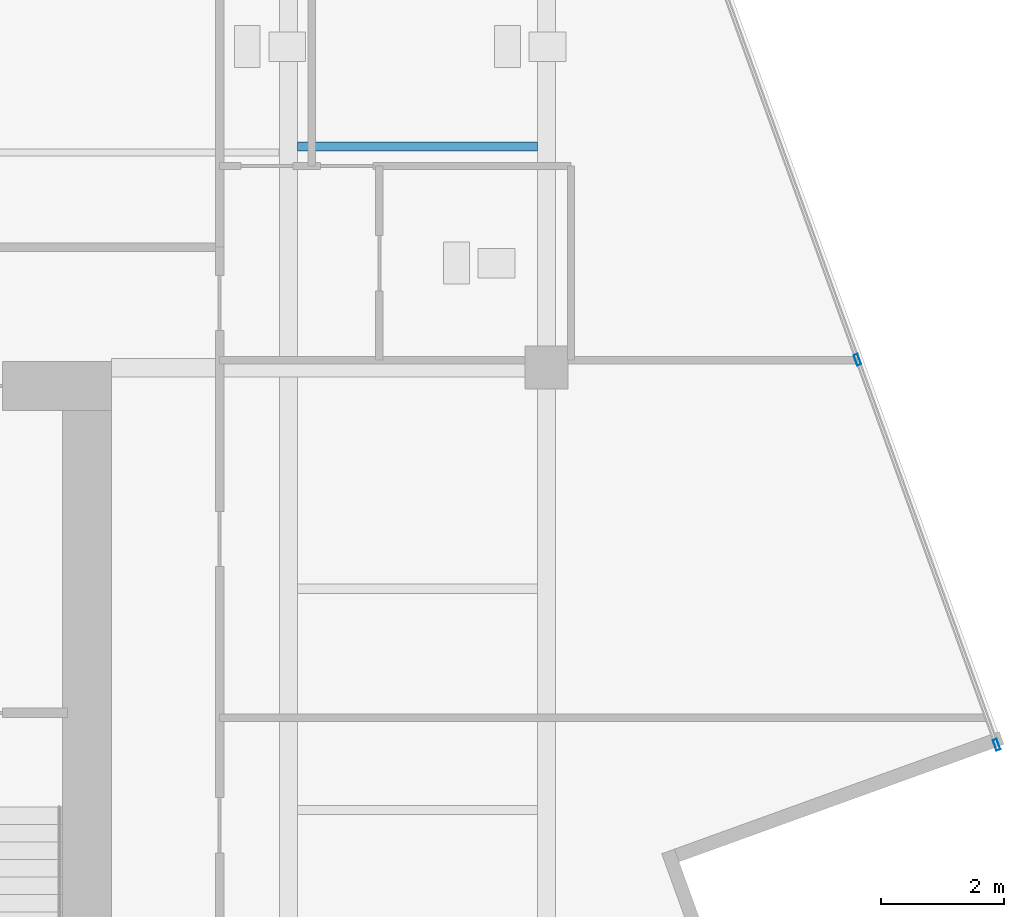
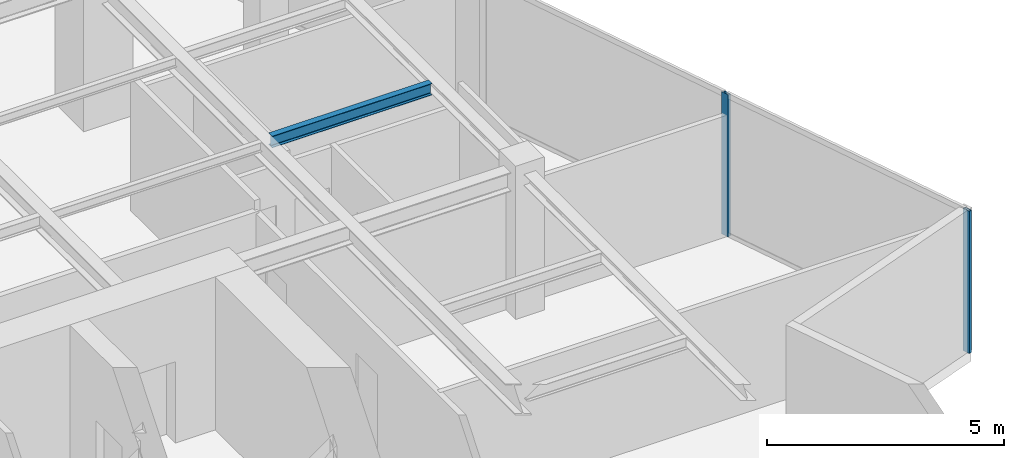
# One storey, part 11 of 21: 2 members, 1 beam, 1 element without a shape of its own.
"""IFC4 building model written with IfcOpenShell, lengths in metres."""

from ifc_helpers import new_model, si_unit, direction, frame, origin, origin_2d, place, context, subcontext, project, spatial, hollow_rectangle, i_section, extrude, source, transform, mapped, material, material_profile, profile_set, type_object, type_shapes, element, aggregate, save


model = new_model("IFC4")

# Units and contexts
model_context = context("Model", 3, precision=1e-05, world=origin(), true_north=direction((0.0, 1.0)))
body_context = subcontext(model_context, "Body", "Model", "MODEL_VIEW")
ifc_project = project(units=[si_unit("LENGTHUNIT", "METRE"), si_unit("AREAUNIT", "SQUARE_METRE"), si_unit("VOLUMEUNIT", "CUBIC_METRE"), si_unit("PLANEANGLEUNIT", "RADIAN"), si_unit("MASSUNIT", "GRAM", prefix="KILO")], contexts=[model_context])

# Site, building, storey
site_placement = place(None, origin())
site = spatial("IfcSite", under=ifc_project, at=site_placement, CompositionType="ELEMENT")
building_placement = place(site_placement, origin())
building = spatial("IfcBuilding", under=site, at=building_placement, Name="Krantzveldt Concourse Tower", CompositionType="ELEMENT")
storey_placement = place(building_placement, frame((0.0, 0.0, 335.60009765625)))
storey = spatial("IfcBuildingStorey", under=building, at=storey_placement, Name="L82", CompositionType="ELEMENT", Elevation=335.60009765625)

# Beam
ifc_material_1 = material(Name="Steel S355JR", Category="steel")
ifc_material_profile_1 = material_profile(ifc_material_1, i_section(OverallWidth=0.14990234375, OverallDepth=0.300048828125, WebThickness=0.007080078125, FlangeThickness=0.0107421875, FilletRadius=0.014892578125, at=origin_2d()), Name="Steel S355JR", Category="steel")
ifc_profile_set_1 = profile_set([ifc_material_profile_1], Name="Steel S355JR - IPE 300")
beam_type = type_object("IfcBeamType", Name="BM-J-IPE300", PredefinedType="JOIST", material=ifc_profile_set_1)
shared_shape_1 = source(origin(), body_context, "Body", "SweptSolid", [
    extrude(i_section(OverallWidth=0.14990234375, OverallDepth=0.300048828125, WebThickness=0.007080078125, FlangeThickness=0.0107421875, FilletRadius=0.014892578125, at=origin_2d()), origin(), (0.0, 0.0, 1.0), 3.900146484375),
])
type_shapes(beam_type, [shared_shape_1])
beam_placement = place(storey_placement, frame((46.949951171875, 30.300048828125, 3.52001953125), z_axis=(1.0, 0.0, 0.0), x_axis=(0.0, 1.0, 0.0)))
element("IfcBeam", 1, at=beam_placement, inside=storey, type_object=beam_type, Name="L82 Secondary Floor Joist JE-3", PredefinedType="JOIST", context=body_context, shape_type="MappedRepresentation", body=[
    mapped(shared_shape_1, transform((0.0, 0.0, 0.0), x_axis=(1.0, 0.0, 0.0), y_axis=(0.0, 1.0, 0.0), z_axis=(0.0, 0.0, 1.0), scale=1.0)),
])

# Curtain wall, members
ifc_material_2 = material(Name="Anodised aluminium 6063-T6", Category="aluminium")
curtain_wall_type = type_object("IfcCurtainWallType", Name="CW4", PredefinedType="USERDEFINED", material=ifc_material_2)
curtain_wall_placement = place(storey_placement, origin())
curtain_wall = element("IfcCurtainWall", 2, at=curtain_wall_placement, inside=storey, type_object=curtain_wall_type, Name="CW-L82-F10", ObjectType="UNITISED CURTAIN WALL", PredefinedType="USERDEFINED")
ifc_material_profile_2 = material_profile(ifc_material_2, hollow_rectangle(XDim=0.070068359375, YDim=0.179931640625, WallThickness=0.0048828125, at=origin_2d()), Name="Anodised aluminium 6063-T6", Category="aluminium")
ifc_profile_set_2 = profile_set([ifc_material_profile_2], Name="Anodised aluminium 6063-T6 - ALU-MULL 180x70x5")
member_type = type_object("IfcMemberType", Name="CW-MUL-180", PredefinedType="MULLION", material=ifc_profile_set_2)
shared_shape_2 = source(origin(), body_context, "Body", "SweptSolid", [
    extrude(hollow_rectangle(XDim=0.070068359375, YDim=0.179931640625, WallThickness=0.0048828125, at=origin_2d()), origin(), (0.0, 0.0, 1.0), 3.669921875),
])
type_shapes(member_type, [shared_shape_2])
member_1_placement = place(storey_placement, frame((58.327392578125, 20.559814453125, 0.0), z_axis=(0.0, 0.0, 1.0), x_axis=(-0.940436624478, -0.339969050563, 0.0)))
member_1 = element("IfcMember", 3, at=member_1_placement, type_object=member_type, Name="CW-Z56 mullion 1", PredefinedType="MULLION", context=body_context, shape_type="MappedRepresentation", body=[
    mapped(shared_shape_2, transform((0.0, 0.0, 0.0), x_axis=(1.0, 0.0, 0.0), y_axis=(0.0, 1.0, 0.0), z_axis=(0.0, 0.0, 1.0), scale=1.0)),
])
member_2_placement = place(storey_placement, frame((56.0615234375, 26.827880859375, 0.0), z_axis=(0.0, 0.0, 1.0), x_axis=(-0.940436624478, -0.339969050563, 0.0)))
member_2 = element("IfcMember", 4, at=member_2_placement, type_object=member_type, Name="CW-Z56 mullion 2", PredefinedType="MULLION", context=body_context, shape_type="MappedRepresentation", body=[
    mapped(shared_shape_2, transform((0.0, 0.0, 0.0), x_axis=(1.0, 0.0, 0.0), y_axis=(0.0, 1.0, 0.0), z_axis=(0.0, 0.0, 1.0), scale=1.0)),
])
aggregate(curtain_wall, [member_1, member_2])

save(model, "model.ifc")
